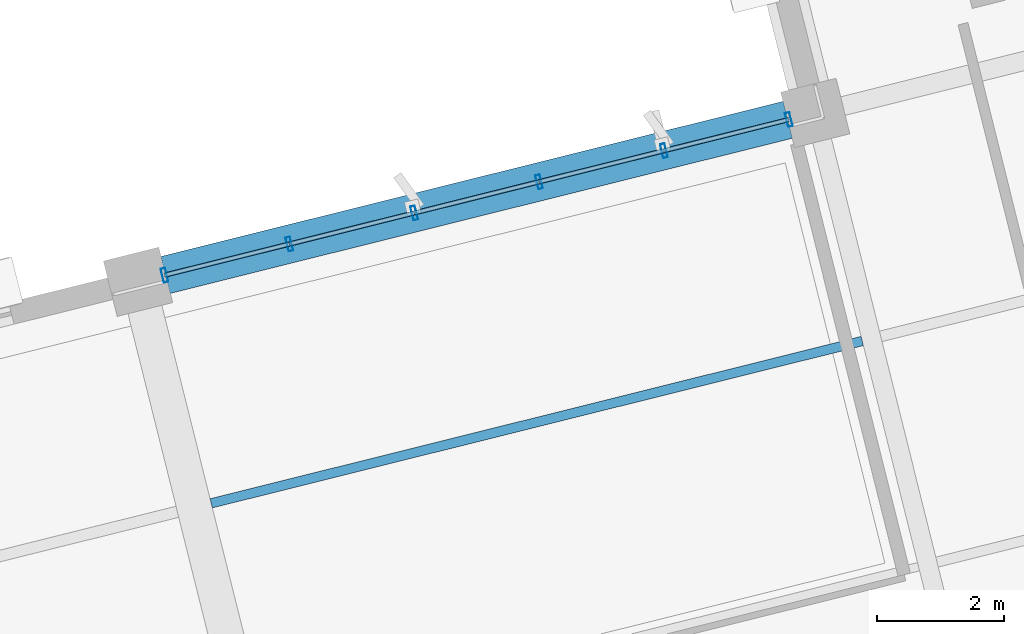
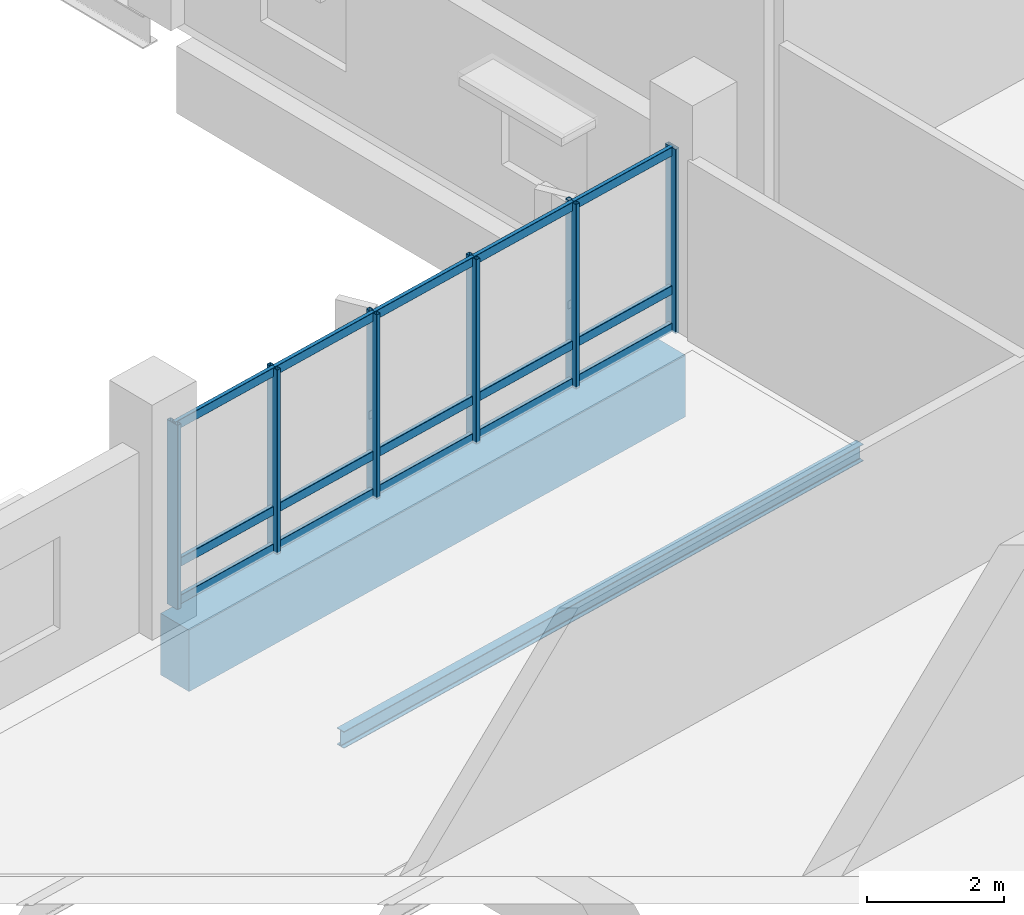
# One storey, part 7 of 22: 21 members, 2 beams, 1 element without a shape of its own.
"""IFC4 building model written with IfcOpenShell, lengths in metres."""

from ifc_helpers import new_model, si_unit, direction, frame, origin, origin_2d, place, context, subcontext, project, spatial, rectangle, hollow_rectangle, i_section, extrude, material, layer, layer_set, material_profile, profile_set, type_object, element, aggregate, save


model = new_model("IFC4")

# Units and contexts
model_context = context("Model", 3, precision=1e-05, world=origin(), true_north=direction((0.0, 1.0)))
body_context = subcontext(model_context, "Body", "Model", "MODEL_VIEW")
ifc_project = project(units=[si_unit("LENGTHUNIT", "METRE"), si_unit("AREAUNIT", "SQUARE_METRE"), si_unit("VOLUMEUNIT", "CUBIC_METRE"), si_unit("PLANEANGLEUNIT", "RADIAN"), si_unit("MASSUNIT", "GRAM", prefix="KILO")], contexts=[model_context])

# Site, building, storey
site_placement = place(None, origin())
site = spatial("IfcSite", under=ifc_project, at=site_placement, CompositionType="ELEMENT")
building_placement = place(site_placement, origin())
building = spatial("IfcBuilding", under=site, at=building_placement, Name="Khorjan Park Terminus", CompositionType="ELEMENT")
storey_placement = place(building_placement, frame((0.0, 0.0, 24.6)))
storey = spatial("IfcBuildingStorey", under=building, at=storey_placement, Name="L05", CompositionType="ELEMENT", Elevation=24.6)

# Beams
ifc_material_1 = material(Name="Concrete C40/50", Category="concrete")
ifc_material_profile_1 = material_profile(ifc_material_1, rectangle(XDim=0.6, YDim=1.1, at=origin_2d()), Name="RC 600x1100")
ifc_profile_set_1 = profile_set([ifc_material_profile_1], Name="Concrete C40/50")
beam_type_1 = type_object("IfcBeamType", Name="BM-RC600x1100", PredefinedType="BEAM", material=ifc_profile_set_1)
beam_1_placement = place(storey_placement, frame((193.1293, 31.4376, -0.88), z_axis=(0.970295911482, 0.241921152779, 0.0), x_axis=(-0.241921152779, 0.970295911482, 0.0)))
element("IfcBeam", 1, at=beam_1_placement, inside=storey, type_object=beam_type_1, Name="Primary skew-grid floor girder GB-11 (L05)", PredefinedType="BEAM", context=body_context, shape_type="SweptSolid", body=[
    extrude(rectangle(XDim=0.6, YDim=1.1, at=origin_2d()), origin(), (0.0, 0.0, 1.0), 10.1099),
])
ifc_material_2 = material(Name="Steel S355", Category="steel")
ifc_material_profile_2 = material_profile(ifc_material_2, i_section(OverallWidth=0.15, OverallDepth=0.3, WebThickness=0.0071, FlangeThickness=0.0107, FilletRadius=0.015, at=origin_2d()), Name="IPE 300")
ifc_profile_set_2 = profile_set([ifc_material_profile_2], Name="Steel S355")
beam_type_2 = type_object("IfcBeamType", Name="JS-IPE300", PredefinedType="JOIST", material=ifc_profile_set_2)
beam_2_placement = place(storey_placement, frame((193.8514, 27.8387, -0.48), z_axis=(0.970295832192, 0.241921470792, 0.0), x_axis=(-0.241921470792, 0.970295832192, 0.0)))
element("IfcBeam", 2, at=beam_2_placement, inside=storey, type_object=beam_type_2, Name="Secondary composite floor joist SJ-30 (L05)", PredefinedType="JOIST", context=body_context, shape_type="SweptSolid", body=[
    extrude(i_section(OverallWidth=0.15, OverallDepth=0.3, WebThickness=0.0071, FlangeThickness=0.0107, FilletRadius=0.015, at=origin_2d()), origin(), (0.0, 0.0, 1.0), 10.5749),
])

# Curtain wall, members
ifc_material_3 = material(Name="Anodized Bronze Aluminium", Category="aluminium")
ifc_layer = layer(ifc_material_3, 0.22)
ifc_layer_set = layer_set([ifc_layer], Name="Anodized Bronze Aluminium")
curtain_wall_type = type_object("IfcCurtainWallType", Name="CW-OPS-B", PredefinedType="NOTDEFINED", material=ifc_layer_set)
curtain_wall_placement = place(storey_placement, origin())
curtain_wall = element("IfcCurtainWall", 3, at=curtain_wall_placement, inside=storey, type_object=curtain_wall_type, Name="Unitized curtain wall CW-B (CW-V5-NW2-L05-B01)", PredefinedType="NOTDEFINED")
ifc_material_profile_3 = material_profile(ifc_material_3, hollow_rectangle(XDim=0.075, YDim=0.225, WallThickness=0.005, InnerFilletRadius=0.005, OuterFilletRadius=0.01, at=origin_2d()), Name="ALM 75x225x5")
ifc_profile_set_3 = profile_set([ifc_material_profile_3], Name="Anodized Bronze Aluminium")
member_type_1 = type_object("IfcMemberType", Name="ML-ALM-225", PredefinedType="MULLION", material=ifc_profile_set_3)
member_1_placement = place(storey_placement, frame((202.9537, 33.8871, -0.035), z_axis=(0.0, 0.0, 1.0), x_axis=(-0.970294289952, -0.241927656308, 0.0)))
member_1 = element("IfcMember", 4, at=member_1_placement, type_object=member_type_1, Name="Curtain-wall mullion ML-22 (CW-V5-NW2-L05-B01-0)", PredefinedType="MULLION", context=body_context, shape_type="SweptSolid", body=[
    extrude(hollow_rectangle(XDim=0.075, YDim=0.225, WallThickness=0.005, InnerFilletRadius=0.005, OuterFilletRadius=0.01, at=origin_2d()), origin(), (0.0, 0.0, 1.0), 3.295),
])
member_2_placement = place(storey_placement, frame((200.9858, 33.3964, -0.035), z_axis=(0.0, 0.0, 1.0), x_axis=(-0.970294289952, -0.241927656308, 0.0)))
member_2 = element("IfcMember", 5, at=member_2_placement, type_object=member_type_1, Name="Curtain-wall mullion ML-22 (CW-V5-NW2-L05-B01-1)", PredefinedType="MULLION", context=body_context, shape_type="SweptSolid", body=[
    extrude(hollow_rectangle(XDim=0.075, YDim=0.225, WallThickness=0.005, InnerFilletRadius=0.005, OuterFilletRadius=0.01, at=origin_2d()), origin(), (0.0, 0.0, 1.0), 3.295),
])
member_3_placement = place(storey_placement, frame((199.0179, 32.9058, -0.035), z_axis=(0.0, 0.0, 1.0), x_axis=(-0.970294289952, -0.241927656308, 0.0)))
member_3 = element("IfcMember", 6, at=member_3_placement, type_object=member_type_1, Name="Curtain-wall mullion ML-22 (CW-V5-NW2-L05-B01-2)", PredefinedType="MULLION", context=body_context, shape_type="SweptSolid", body=[
    extrude(hollow_rectangle(XDim=0.075, YDim=0.225, WallThickness=0.005, InnerFilletRadius=0.005, OuterFilletRadius=0.01, at=origin_2d()), origin(), (0.0, 0.0, 1.0), 3.295),
])
member_4_placement = place(storey_placement, frame((197.0501, 32.4151, -0.035), z_axis=(0.0, 0.0, 1.0), x_axis=(-0.970294289952, -0.241927656308, 0.0)))
member_4 = element("IfcMember", 7, at=member_4_placement, type_object=member_type_1, Name="Curtain-wall mullion ML-22 (CW-V5-NW2-L05-B01-3)", PredefinedType="MULLION", context=body_context, shape_type="SweptSolid", body=[
    extrude(hollow_rectangle(XDim=0.075, YDim=0.225, WallThickness=0.005, InnerFilletRadius=0.005, OuterFilletRadius=0.01, at=origin_2d()), origin(), (0.0, 0.0, 1.0), 3.295),
])
member_5_placement = place(storey_placement, frame((195.0822, 31.9245, -0.035), z_axis=(0.0, 0.0, 1.0), x_axis=(-0.970294289952, -0.241927656308, 0.0)))
member_5 = element("IfcMember", 8, at=member_5_placement, type_object=member_type_1, Name="Curtain-wall mullion ML-22 (CW-V5-NW2-L05-B01-4)", PredefinedType="MULLION", context=body_context, shape_type="SweptSolid", body=[
    extrude(hollow_rectangle(XDim=0.075, YDim=0.225, WallThickness=0.005, InnerFilletRadius=0.005, OuterFilletRadius=0.01, at=origin_2d()), origin(), (0.0, 0.0, 1.0), 3.295),
])
member_6_placement = place(storey_placement, frame((193.1143, 31.4338, -0.035), z_axis=(0.0, 0.0, 1.0), x_axis=(-0.970294289952, -0.241927656308, 0.0)))
member_6 = element("IfcMember", 9, at=member_6_placement, type_object=member_type_1, Name="Curtain-wall mullion ML-22 (CW-V5-NW2-L05-B01-5)", PredefinedType="MULLION", context=body_context, shape_type="SweptSolid", body=[
    extrude(hollow_rectangle(XDim=0.075, YDim=0.225, WallThickness=0.005, InnerFilletRadius=0.005, OuterFilletRadius=0.01, at=origin_2d()), origin(), (0.0, 0.0, 1.0), 3.295),
])
ifc_material_profile_4 = material_profile(ifc_material_3, hollow_rectangle(XDim=0.07, YDim=0.16, WallThickness=0.004, InnerFilletRadius=0.004, OuterFilletRadius=0.008, at=origin_2d()), Name="ALT 70x160x4")
ifc_profile_set_4 = profile_set([ifc_material_profile_4], Name="Anodized Bronze Aluminium")
member_type_2 = type_object("IfcMemberType", Name="TR-ALT-160", PredefinedType="USERDEFINED", material=ifc_profile_set_4)
member_7_placement = place(storey_placement, frame((202.9537, 33.8871, 0.04), z_axis=(-0.970290237335, -0.241943909477, 0.0), x_axis=(0.241943909477, -0.970290237335, 0.0)))
member_7 = element("IfcMember", 10, at=member_7_placement, type_object=member_type_2, Name="Curtain-wall transom TR-16 (CW-V5-NW2-L05-B01-0-1)", ObjectType="TRANSOM", PredefinedType="USERDEFINED", context=body_context, shape_type="SweptSolid", body=[
    extrude(hollow_rectangle(XDim=0.07, YDim=0.16, WallThickness=0.004, InnerFilletRadius=0.004, OuterFilletRadius=0.008, at=origin_2d()), origin(), (0.0, 0.0, 1.0), 2.0282),
])
member_8_placement = place(storey_placement, frame((202.9537, 33.8871, 0.709), z_axis=(-0.970290237335, -0.241943909477, 0.0), x_axis=(0.241943909477, -0.970290237335, 0.0)))
member_8 = element("IfcMember", 11, at=member_8_placement, type_object=member_type_2, Name="Curtain-wall transom TR-16 (CW-V5-NW2-L05-B01-0-2)", ObjectType="TRANSOM", PredefinedType="USERDEFINED", context=body_context, shape_type="SweptSolid", body=[
    extrude(hollow_rectangle(XDim=0.07, YDim=0.16, WallThickness=0.004, InnerFilletRadius=0.004, OuterFilletRadius=0.008, at=origin_2d()), origin(), (0.0, 0.0, 1.0), 2.0282),
])
member_9_placement = place(storey_placement, frame((202.9537, 33.8871, 3.185), z_axis=(-0.970290237335, -0.241943909477, 0.0), x_axis=(0.241943909477, -0.970290237335, 0.0)))
member_9 = element("IfcMember", 12, at=member_9_placement, type_object=member_type_2, Name="Curtain-wall transom TR-16 (CW-V5-NW2-L05-B01-0-3)", ObjectType="TRANSOM", PredefinedType="USERDEFINED", context=body_context, shape_type="SweptSolid", body=[
    extrude(hollow_rectangle(XDim=0.07, YDim=0.16, WallThickness=0.004, InnerFilletRadius=0.004, OuterFilletRadius=0.008, at=origin_2d()), origin(), (0.0, 0.0, 1.0), 2.0282),
])
member_10_placement = place(storey_placement, frame((200.9858, 33.3964, 0.04), z_axis=(-0.970301811202, -0.241897488986, 0.0), x_axis=(0.241897488986, -0.970301811202, 0.0)))
member_10 = element("IfcMember", 13, at=member_10_placement, type_object=member_type_2, Name="Curtain-wall transom TR-16 (CW-V5-NW2-L05-B01-1-1)", ObjectType="TRANSOM", PredefinedType="USERDEFINED", context=body_context, shape_type="SweptSolid", body=[
    extrude(hollow_rectangle(XDim=0.07, YDim=0.16, WallThickness=0.004, InnerFilletRadius=0.004, OuterFilletRadius=0.008, at=origin_2d()), origin(), (0.0, 0.0, 1.0), 2.0281),
])
member_11_placement = place(storey_placement, frame((200.9858, 33.3964, 0.709), z_axis=(-0.970301811202, -0.241897488986, 0.0), x_axis=(0.241897488986, -0.970301811202, 0.0)))
member_11 = element("IfcMember", 14, at=member_11_placement, type_object=member_type_2, Name="Curtain-wall transom TR-16 (CW-V5-NW2-L05-B01-1-2)", ObjectType="TRANSOM", PredefinedType="USERDEFINED", context=body_context, shape_type="SweptSolid", body=[
    extrude(hollow_rectangle(XDim=0.07, YDim=0.16, WallThickness=0.004, InnerFilletRadius=0.004, OuterFilletRadius=0.008, at=origin_2d()), origin(), (0.0, 0.0, 1.0), 2.0281),
])
member_12_placement = place(storey_placement, frame((200.9858, 33.3964, 3.185), z_axis=(-0.970301811202, -0.241897488986, 0.0), x_axis=(0.241897488986, -0.970301811202, 0.0)))
member_12 = element("IfcMember", 15, at=member_12_placement, type_object=member_type_2, Name="Curtain-wall transom TR-16 (CW-V5-NW2-L05-B01-1-3)", ObjectType="TRANSOM", PredefinedType="USERDEFINED", context=body_context, shape_type="SweptSolid", body=[
    extrude(hollow_rectangle(XDim=0.07, YDim=0.16, WallThickness=0.004, InnerFilletRadius=0.004, OuterFilletRadius=0.008, at=origin_2d()), origin(), (0.0, 0.0, 1.0), 2.0281),
])
member_13_placement = place(storey_placement, frame((199.0179, 32.9058, 0.04), z_axis=(-0.970287350917, -0.241955484854, 0.0), x_axis=(0.241955484854, -0.970287350917, 0.0)))
member_13 = element("IfcMember", 16, at=member_13_placement, type_object=member_type_2, Name="Curtain-wall transom TR-16 (CW-V5-NW2-L05-B01-2-1)", ObjectType="TRANSOM", PredefinedType="USERDEFINED", context=body_context, shape_type="SweptSolid", body=[
    extrude(hollow_rectangle(XDim=0.07, YDim=0.16, WallThickness=0.004, InnerFilletRadius=0.004, OuterFilletRadius=0.008, at=origin_2d()), origin(), (0.0, 0.0, 1.0), 2.0281),
])
member_14_placement = place(storey_placement, frame((199.0179, 32.9058, 0.709), z_axis=(-0.970287350917, -0.241955484854, 0.0), x_axis=(0.241955484854, -0.970287350917, 0.0)))
member_14 = element("IfcMember", 17, at=member_14_placement, type_object=member_type_2, Name="Curtain-wall transom TR-16 (CW-V5-NW2-L05-B01-2-2)", ObjectType="TRANSOM", PredefinedType="USERDEFINED", context=body_context, shape_type="SweptSolid", body=[
    extrude(hollow_rectangle(XDim=0.07, YDim=0.16, WallThickness=0.004, InnerFilletRadius=0.004, OuterFilletRadius=0.008, at=origin_2d()), origin(), (0.0, 0.0, 1.0), 2.0281),
])
member_15_placement = place(storey_placement, frame((199.0179, 32.9058, 3.185), z_axis=(-0.970287350917, -0.241955484854, 0.0), x_axis=(0.241955484854, -0.970287350917, 0.0)))
member_15 = element("IfcMember", 18, at=member_15_placement, type_object=member_type_2, Name="Curtain-wall transom TR-16 (CW-V5-NW2-L05-B01-2-3)", ObjectType="TRANSOM", PredefinedType="USERDEFINED", context=body_context, shape_type="SweptSolid", body=[
    extrude(hollow_rectangle(XDim=0.07, YDim=0.16, WallThickness=0.004, InnerFilletRadius=0.004, OuterFilletRadius=0.008, at=origin_2d()), origin(), (0.0, 0.0, 1.0), 2.0281),
])
member_16_placement = place(storey_placement, frame((197.0501, 32.4151, 0.04), z_axis=(-0.970301811202, -0.241897488986, 0.0), x_axis=(0.241897488986, -0.970301811202, 0.0)))
member_16 = element("IfcMember", 19, at=member_16_placement, type_object=member_type_2, Name="Curtain-wall transom TR-16 (CW-V5-NW2-L05-B01-3-1)", ObjectType="TRANSOM", PredefinedType="USERDEFINED", context=body_context, shape_type="SweptSolid", body=[
    extrude(hollow_rectangle(XDim=0.07, YDim=0.16, WallThickness=0.004, InnerFilletRadius=0.004, OuterFilletRadius=0.008, at=origin_2d()), origin(), (0.0, 0.0, 1.0), 2.0281),
])
member_17_placement = place(storey_placement, frame((197.0501, 32.4151, 0.709), z_axis=(-0.970301811202, -0.241897488986, 0.0), x_axis=(0.241897488986, -0.970301811202, 0.0)))
member_17 = element("IfcMember", 20, at=member_17_placement, type_object=member_type_2, Name="Curtain-wall transom TR-16 (CW-V5-NW2-L05-B01-3-2)", ObjectType="TRANSOM", PredefinedType="USERDEFINED", context=body_context, shape_type="SweptSolid", body=[
    extrude(hollow_rectangle(XDim=0.07, YDim=0.16, WallThickness=0.004, InnerFilletRadius=0.004, OuterFilletRadius=0.008, at=origin_2d()), origin(), (0.0, 0.0, 1.0), 2.0281),
])
member_18_placement = place(storey_placement, frame((197.0501, 32.4151, 3.185), z_axis=(-0.970301811202, -0.241897488986, 0.0), x_axis=(0.241897488986, -0.970301811202, 0.0)))
member_18 = element("IfcMember", 21, at=member_18_placement, type_object=member_type_2, Name="Curtain-wall transom TR-16 (CW-V5-NW2-L05-B01-3-3)", ObjectType="TRANSOM", PredefinedType="USERDEFINED", context=body_context, shape_type="SweptSolid", body=[
    extrude(hollow_rectangle(XDim=0.07, YDim=0.16, WallThickness=0.004, InnerFilletRadius=0.004, OuterFilletRadius=0.008, at=origin_2d()), origin(), (0.0, 0.0, 1.0), 2.0281),
])
member_19_placement = place(storey_placement, frame((195.0822, 31.9245, 0.04), z_axis=(-0.970290237335, -0.241943909477, 0.0), x_axis=(0.241943909477, -0.970290237335, 0.0)))
member_19 = element("IfcMember", 22, at=member_19_placement, type_object=member_type_2, Name="Curtain-wall transom TR-16 (CW-V5-NW2-L05-B01-4-1)", ObjectType="TRANSOM", PredefinedType="USERDEFINED", context=body_context, shape_type="SweptSolid", body=[
    extrude(hollow_rectangle(XDim=0.07, YDim=0.16, WallThickness=0.004, InnerFilletRadius=0.004, OuterFilletRadius=0.008, at=origin_2d()), origin(), (0.0, 0.0, 1.0), 2.0282),
])
member_20_placement = place(storey_placement, frame((195.0822, 31.9245, 0.709), z_axis=(-0.970290237335, -0.241943909477, 0.0), x_axis=(0.241943909477, -0.970290237335, 0.0)))
member_20 = element("IfcMember", 23, at=member_20_placement, type_object=member_type_2, Name="Curtain-wall transom TR-16 (CW-V5-NW2-L05-B01-4-2)", ObjectType="TRANSOM", PredefinedType="USERDEFINED", context=body_context, shape_type="SweptSolid", body=[
    extrude(hollow_rectangle(XDim=0.07, YDim=0.16, WallThickness=0.004, InnerFilletRadius=0.004, OuterFilletRadius=0.008, at=origin_2d()), origin(), (0.0, 0.0, 1.0), 2.0282),
])
member_21_placement = place(storey_placement, frame((195.0822, 31.9245, 3.185), z_axis=(-0.970290237335, -0.241943909477, 0.0), x_axis=(0.241943909477, -0.970290237335, 0.0)))
member_21 = element("IfcMember", 24, at=member_21_placement, type_object=member_type_2, Name="Curtain-wall transom TR-16 (CW-V5-NW2-L05-B01-4-3)", ObjectType="TRANSOM", PredefinedType="USERDEFINED", context=body_context, shape_type="SweptSolid", body=[
    extrude(hollow_rectangle(XDim=0.07, YDim=0.16, WallThickness=0.004, InnerFilletRadius=0.004, OuterFilletRadius=0.008, at=origin_2d()), origin(), (0.0, 0.0, 1.0), 2.0282),
])
aggregate(curtain_wall, [member_1, member_2, member_3, member_4, member_5, member_6, member_7, member_8, member_9, member_10, member_11, member_12, member_13, member_14, member_15, member_16, member_17, member_18, member_19, member_20, member_21])

save(model, "model.ifc")
